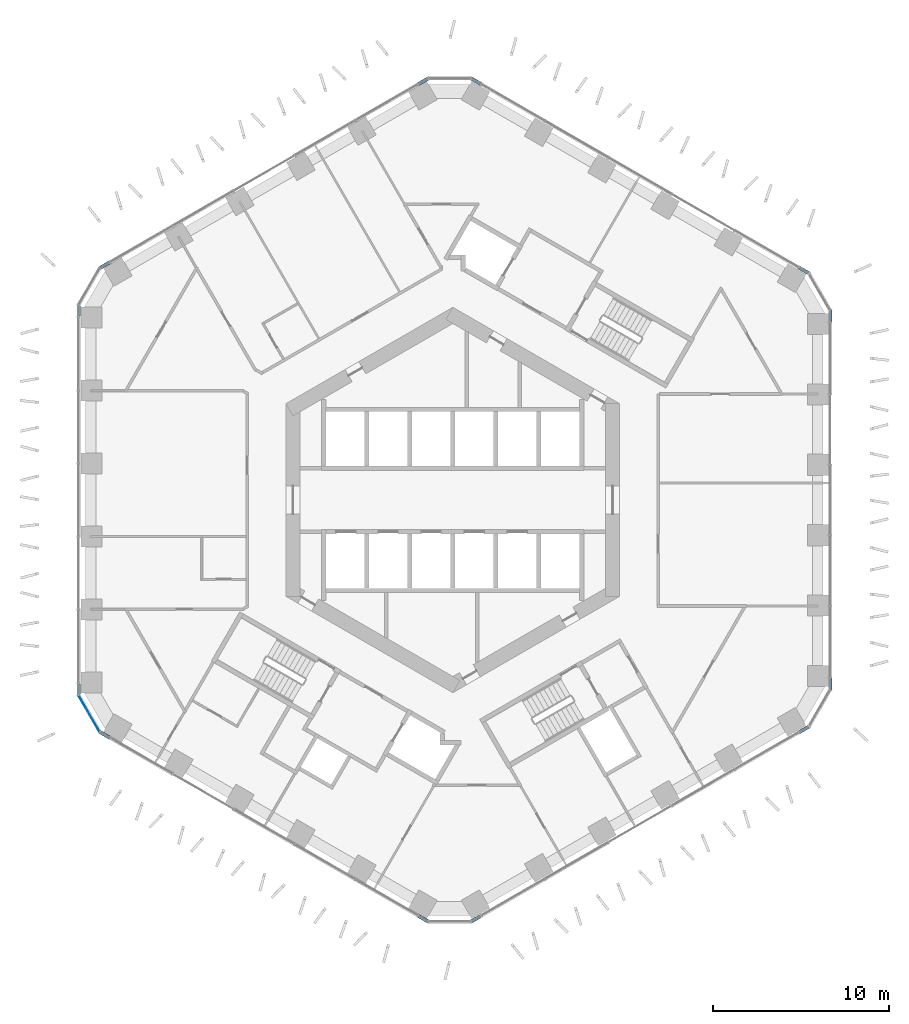
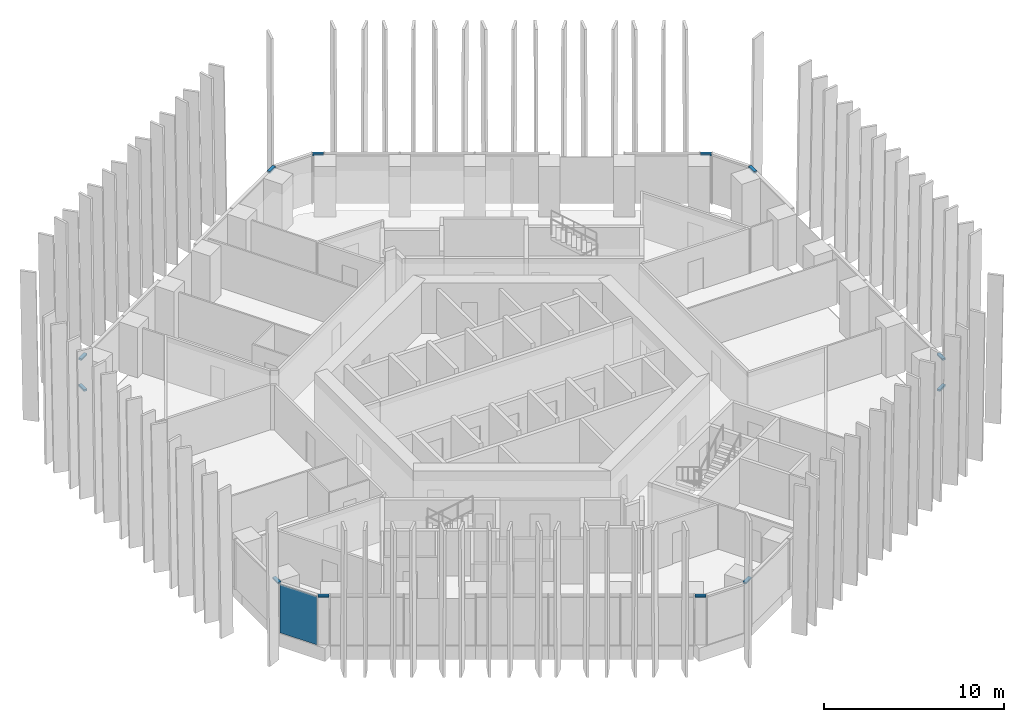
# One storey, part 8 of 20: 12 members, 1 plate, 6 elements without a shape of their own.
"""IFC4 building model written with IfcOpenShell, lengths in metres."""

from ifc_helpers import new_model, si_unit, direction, frame, origin, origin_2d, place, context, subcontext, project, spatial, rectangle, extrude, material, layer, layer_set, material_profile, profile_set, type_object, element, aggregate, save


model = new_model("IFC4")

# Units and contexts
model_context = context("Model", 3, precision=1e-05, world=origin(), true_north=direction((0.0, 1.0)))
body_context = subcontext(model_context, "Body", "Model", "MODEL_VIEW")
ifc_project = project(units=[si_unit("LENGTHUNIT", "METRE"), si_unit("AREAUNIT", "SQUARE_METRE"), si_unit("VOLUMEUNIT", "CUBIC_METRE"), si_unit("PLANEANGLEUNIT", "RADIAN"), si_unit("MASSUNIT", "GRAM", prefix="KILO")], contexts=[model_context])

# Site, building, storey
site_placement = place(None, origin())
site = spatial("IfcSite", under=ifc_project, at=site_placement, CompositionType="ELEMENT")
building_placement = place(site_placement, origin())
building = spatial("IfcBuilding", under=site, at=building_placement, Name="Ayvan Gate Tower", CompositionType="ELEMENT")
storey_placement = place(building_placement, frame((0.0, 0.0, 35.699951171875)))
storey = spatial("IfcBuildingStorey", under=building, at=storey_placement, Name="L08", CompositionType="ELEMENT", Elevation=35.699951171875)

# Curtain wall, members
ifc_material_1 = material(Name="Bronze anodised aluminium", Category="aluminium")
ifc_layer_1 = layer(ifc_material_1, 0.199951171875)
ifc_layer_set_1 = layer_set([ifc_layer_1], Name="Bronze anodised aluminium")
curtain_wall_type = type_object("IfcCurtainWallType", Name="Stick curtain wall CW-6", PredefinedType="NOTDEFINED", material=ifc_layer_set_1)
curtain_wall_1_placement = place(storey_placement, origin())
curtain_wall_1 = element("IfcCurtainWall", 1, at=curtain_wall_1_placement, inside=storey, type_object=curtain_wall_type, Name="Stick curtain wall CW-6 L08", PredefinedType="NOTDEFINED")
ifc_material_profile = material_profile(ifc_material_1, rectangle(XDim=0.199951171875, YDim=0.1201171875, at=origin_2d()), Name="Stick curtain wall CW-6 transom 200 x 120")
ifc_profile_set = profile_set([ifc_material_profile], Name="Bronze anodised aluminium")
member_type = type_object("IfcMemberType", Name="Stick curtain wall CW-6 transom 200 x 120", PredefinedType="USERDEFINED", material=ifc_profile_set)
member_1_placement = place(storey_placement, frame((-19.536376953125, 13.529052734375, 3.340087890625), z_axis=(-0.866022959057, -0.500004234368, 0.0), x_axis=(0.500004234368, -0.866022959057, 0.0)))
member_1 = element("IfcMember", 2, at=member_1_placement, type_object=member_type, Name="CW-6 transom 1", ObjectType="TRANSOM", PredefinedType="USERDEFINED", context=body_context, shape_type="SweptSolid", body=[
    extrude(rectangle(XDim=0.199951171875, YDim=0.1201171875, at=origin_2d()), origin(), (0.0, 0.0, 1.0), 0.625),
])
member_2_placement = place(storey_placement, frame((-21.306640625, 11.087890625, 3.340087890625), z_axis=(0.0, -1.0, 0.0), x_axis=(1.0, 0.0, 0.0)))
member_2 = element("IfcMember", 3, at=member_2_placement, type_object=member_type, Name="CW-6 transom 3", ObjectType="TRANSOM", PredefinedType="USERDEFINED", context=body_context, shape_type="SweptSolid", body=[
    extrude(rectangle(XDim=0.199951171875, YDim=0.1201171875, at=origin_2d()), origin(), (0.0, 0.0, 1.0), 0.625),
])
aggregate(curtain_wall_1, [member_1, member_2])

curtain_wall_2_placement = place(storey_placement, origin())
curtain_wall_2 = element("IfcCurtainWall", 4, at=curtain_wall_2_placement, inside=storey, type_object=curtain_wall_type, Name="Stick curtain wall CW-6 L08", PredefinedType="NOTDEFINED")
member_3_placement = place(storey_placement, frame((-21.306640625, -10.462890625, 3.340087890625), z_axis=(0.0, -1.0, 0.0), x_axis=(1.0, 0.0, 0.0)))
member_3 = element("IfcMember", 5, at=member_3_placement, type_object=member_type, Name="CW-6 transom 1", ObjectType="TRANSOM", PredefinedType="USERDEFINED", context=body_context, shape_type="SweptSolid", body=[
    extrude(rectangle(XDim=0.199951171875, YDim=0.1201171875, at=origin_2d()), origin(), (0.0, 0.0, 1.0), 0.625),
])
member_4_placement = place(storey_placement, frame((-20.07763671875, -13.216552734375, 3.340087890625), z_axis=(0.866022959057, -0.500004234368, 0.0), x_axis=(0.500004234368, 0.866022959057, 0.0)))
member_4 = element("IfcMember", 6, at=member_4_placement, type_object=member_type, Name="CW-6 transom 3", ObjectType="TRANSOM", PredefinedType="USERDEFINED", context=body_context, shape_type="SweptSolid", body=[
    extrude(rectangle(XDim=0.199951171875, YDim=0.1201171875, at=origin_2d()), origin(), (0.0, 0.0, 1.0), 0.625),
])

curtain_wall_3_placement = place(storey_placement, origin())
curtain_wall_3 = element("IfcCurtainWall", 7, at=curtain_wall_3_placement, inside=storey, type_object=curtain_wall_type, Name="Stick curtain wall CW-6 L08", PredefinedType="NOTDEFINED")
member_5_placement = place(storey_placement, frame((-1.9482421875, -23.68359375, 3.340087890625), z_axis=(0.866022959057, -0.500004234368, 0.0), x_axis=(0.500004234368, 0.866022959057, 0.0)))
member_5 = element("IfcMember", 8, at=member_5_placement, type_object=member_type, Name="CW-6 transom 1", ObjectType="TRANSOM", PredefinedType="USERDEFINED", context=body_context, shape_type="SweptSolid", body=[
    extrude(rectangle(XDim=0.199951171875, YDim=0.1201171875, at=origin_2d()), origin(), (0.0, 0.0, 1.0), 0.625),
])
member_6_placement = place(storey_placement, frame((1.05078125, -23.99609375, 3.340087890625), z_axis=(0.866022959057, 0.500004234368, 0.0), x_axis=(-0.500004234368, 0.866022959057, 0.0)))
member_6 = element("IfcMember", 9, at=member_6_placement, type_object=member_type, Name="CW-6 transom 3", ObjectType="TRANSOM", PredefinedType="USERDEFINED", context=body_context, shape_type="SweptSolid", body=[
    extrude(rectangle(XDim=0.199951171875, YDim=0.1201171875, at=origin_2d()), origin(), (0.0, 0.0, 1.0), 0.625),
])
aggregate(curtain_wall_3, [member_5, member_6])

curtain_wall_4_placement = place(storey_placement, origin())
curtain_wall_4 = element("IfcCurtainWall", 10, at=curtain_wall_4_placement, inside=storey, type_object=curtain_wall_type, Name="Stick curtain wall CW-6 L08", PredefinedType="NOTDEFINED")
member_7_placement = place(storey_placement, frame((19.71435546875, -13.220458984375, 3.340087890625), z_axis=(0.866022959057, 0.500004234368, 0.0), x_axis=(-0.500004234368, 0.866022959057, 0.0)))
member_7 = element("IfcMember", 11, at=member_7_placement, type_object=member_type, Name="CW-6 transom 1", ObjectType="TRANSOM", PredefinedType="USERDEFINED", context=body_context, shape_type="SweptSolid", body=[
    extrude(rectangle(XDim=0.199951171875, YDim=0.1201171875, at=origin_2d()), origin(), (0.0, 0.0, 1.0), 0.625),
])
member_8_placement = place(storey_placement, frame((21.484619140625, -10.779541015625, 3.340087890625), z_axis=(0.0, 1.0, 0.0), x_axis=(-1.0, 0.0, 0.0)))
member_8 = element("IfcMember", 12, at=member_8_placement, type_object=member_type, Name="CW-6 transom 3", ObjectType="TRANSOM", PredefinedType="USERDEFINED", context=body_context, shape_type="SweptSolid", body=[
    extrude(rectangle(XDim=0.199951171875, YDim=0.1201171875, at=origin_2d()), origin(), (0.0, 0.0, 1.0), 0.625),
])
aggregate(curtain_wall_4, [member_7, member_8])

curtain_wall_5_placement = place(storey_placement, origin())
curtain_wall_5 = element("IfcCurtainWall", 13, at=curtain_wall_5_placement, inside=storey, type_object=curtain_wall_type, Name="Stick curtain wall CW-6 L08", PredefinedType="NOTDEFINED")
member_9_placement = place(storey_placement, frame((21.484619140625, 10.154541015625, 3.340087890625), z_axis=(0.0, 1.0, 0.0), x_axis=(-1.0, 0.0, 0.0)))
member_9 = element("IfcMember", 14, at=member_9_placement, type_object=member_type, Name="CW-6 transom 1", ObjectType="TRANSOM", PredefinedType="USERDEFINED", context=body_context, shape_type="SweptSolid", body=[
    extrude(rectangle(XDim=0.199951171875, YDim=0.1201171875, at=origin_2d()), origin(), (0.0, 0.0, 1.0), 0.625),
])
member_10_placement = place(storey_placement, frame((20.255615234375, 12.907958984375, 3.340087890625), z_axis=(-0.866022959057, 0.500004234368, 0.0), x_axis=(-0.500004234368, -0.866022959057, 0.0)))
member_10 = element("IfcMember", 15, at=member_10_placement, type_object=member_type, Name="CW-6 transom 3", ObjectType="TRANSOM", PredefinedType="USERDEFINED", context=body_context, shape_type="SweptSolid", body=[
    extrude(rectangle(XDim=0.199951171875, YDim=0.1201171875, at=origin_2d()), origin(), (0.0, 0.0, 1.0), 0.625),
])
aggregate(curtain_wall_5, [member_9, member_10])

curtain_wall_6_placement = place(storey_placement, origin())
curtain_wall_6 = element("IfcCurtainWall", 16, at=curtain_wall_6_placement, inside=storey, type_object=curtain_wall_type, Name="Stick curtain wall CW-6 L08", PredefinedType="NOTDEFINED")
member_11_placement = place(storey_placement, frame((1.592041015625, 23.68359375, 3.340087890625), z_axis=(-0.866022959057, 0.500004234368, 0.0), x_axis=(-0.500004234368, -0.866022959057, 0.0)))
member_11 = element("IfcMember", 17, at=member_11_placement, type_object=member_type, Name="CW-6 transom 1", ObjectType="TRANSOM", PredefinedType="USERDEFINED", context=body_context, shape_type="SweptSolid", body=[
    extrude(rectangle(XDim=0.199951171875, YDim=0.1201171875, at=origin_2d()), origin(), (0.0, 0.0, 1.0), 0.625),
])
member_12_placement = place(storey_placement, frame((-1.406982421875, 23.99609375, 3.340087890625), z_axis=(-0.866022959057, -0.500004234368, 0.0), x_axis=(0.500004234368, -0.866022959057, 0.0)))
member_12 = element("IfcMember", 18, at=member_12_placement, type_object=member_type, Name="CW-6 transom 3", ObjectType="TRANSOM", PredefinedType="USERDEFINED", context=body_context, shape_type="SweptSolid", body=[
    extrude(rectangle(XDim=0.199951171875, YDim=0.1201171875, at=origin_2d()), origin(), (0.0, 0.0, 1.0), 0.625),
])
aggregate(curtain_wall_6, [member_11, member_12])

# Plate
ifc_material_2 = material(Name="Clear low-iron laminated glass", Category="glass")
ifc_layer_2 = layer(ifc_material_2, 0.028076171875)
ifc_layer_set_2 = layer_set([ifc_layer_2], Name="Clear low-iron laminated glass")
plate_type = type_object("IfcPlateType", Name="Stick curtain wall CW-6 glass panel", PredefinedType="CURTAIN_PANEL", material=ifc_layer_set_2)
plate_placement = place(storey_placement, frame((-20.702880859375, -12.158447265625, 0.0), z_axis=(0.0, 0.0, 1.0), x_axis=(0.5, -0.866025403784, 0.0)))
plate = element("IfcPlate", 19, at=plate_placement, type_object=plate_type, Name="CW-6 glass panel 2", PredefinedType="CURTAIN_PANEL", context=body_context, shape_type="SweptSolid", body=[
    extrude(rectangle(XDim=2.364501953125, YDim=0.028076171875, at=origin_2d()), origin(), (0.0, 0.0, 1.0), 3.280029296875),
])

aggregate(curtain_wall_2, [member_3, member_4, plate])

save(model, "model.ifc")
